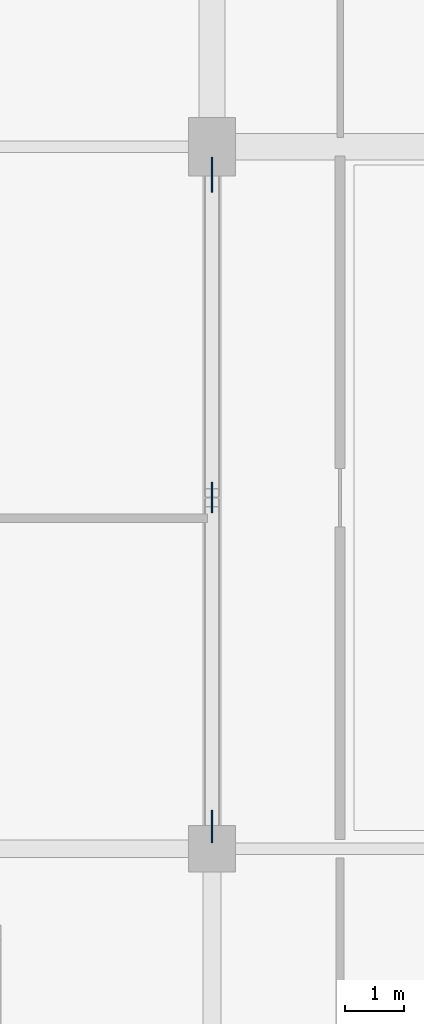
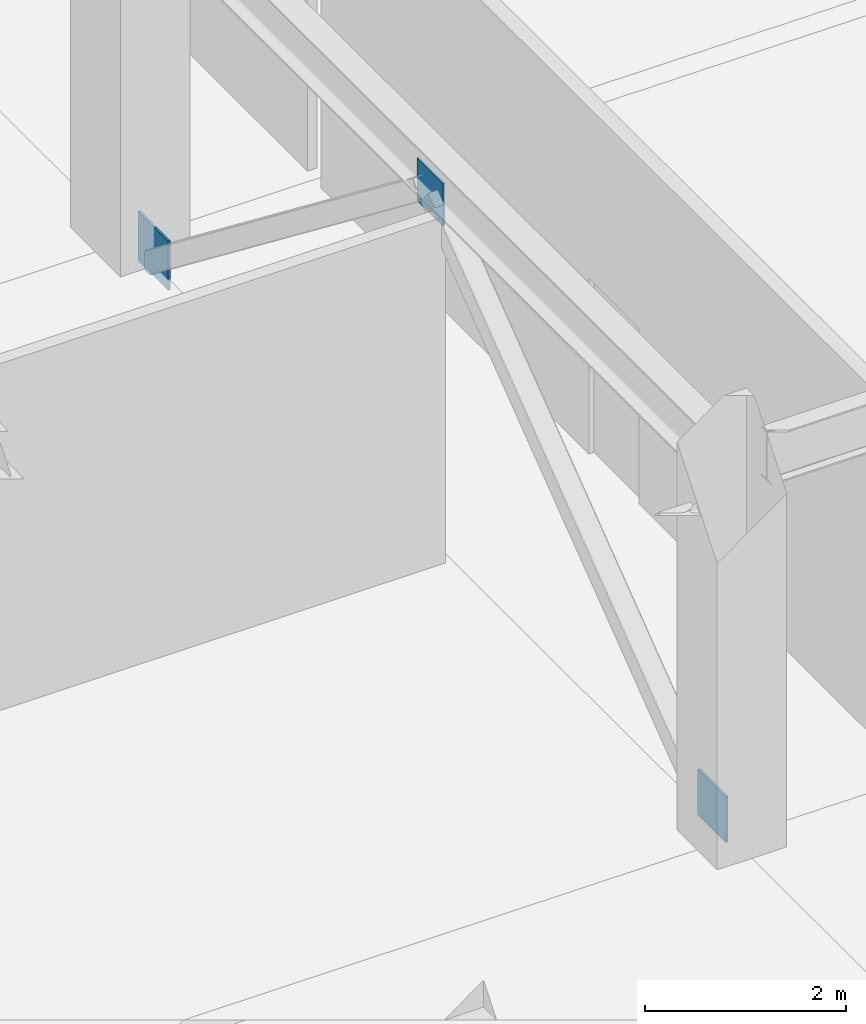
# One storey, part 64 of 116: 3 plates.
"""IFC4 building model written with IfcOpenShell, lengths in metres."""

from ifc_helpers import new_model, si_unit, direction, frame, origin, origin_2d, place, context, subcontext, project, spatial, rectangle, extrude, material, layer, layer_set, type_object, element, save


model = new_model("IFC4")

# Units and contexts
model_context = context("Model", 3, precision=1e-05, world=origin(), true_north=direction((0.0, 1.0)))
body_context = subcontext(model_context, "Body", "Model", "MODEL_VIEW")
ifc_project = project(units=[si_unit("LENGTHUNIT", "METRE"), si_unit("AREAUNIT", "SQUARE_METRE"), si_unit("VOLUMEUNIT", "CUBIC_METRE"), si_unit("PLANEANGLEUNIT", "RADIAN"), si_unit("MASSUNIT", "GRAM", prefix="KILO")], contexts=[model_context])

# Site, building, storey
site_placement = place(None, origin())
site = spatial("IfcSite", under=ifc_project, at=site_placement, CompositionType="ELEMENT")
building_placement = place(site_placement, origin())
building = spatial("IfcBuilding", under=site, at=building_placement, Name="Kazenohara Klinker Stadium", CompositionType="ELEMENT")
storey_placement = place(building_placement, frame((0.0, 0.0, 10.199951171875)))
storey = spatial("IfcBuildingStorey", under=building, at=storey_placement, Name="L02", CompositionType="ELEMENT", Elevation=10.199951171875)

# Plates
ifc_material = material(Name="Steel S355", Category="steel")
ifc_layer_1 = layer(ifc_material, 0.02392578125)
ifc_layer_set_1 = layer_set([ifc_layer_1], Name="Steel S355")
plate_type_1 = type_object("IfcPlateType", Name="PLT-GP03", PredefinedType="USERDEFINED", material=ifc_layer_set_1)
plate_1_placement = place(storey_placement, frame((187.5, 66.0, 3.971923828125), z_axis=(0.0, 0.0, 1.0), x_axis=(1.0, 0.0, 0.0)))
element("IfcPlate", 1, at=plate_1_placement, inside=storey, type_object=plate_type_1, Name="Chevron brace gusset plate GP03 L02 16/F TOP", ObjectType="GUSSET PLATE", PredefinedType="USERDEFINED", context=body_context, shape_type="SweptSolid", body=[
    extrude(rectangle(XDim=0.02392578125, YDim=0.52001953125, at=origin_2d()), origin(), (0.0, 0.0, 1.0), 0.52001953125),
])
ifc_layer_2 = layer(ifc_material, 0.02490234375)
ifc_layer_set_2 = layer_set([ifc_layer_2], Name="Steel S355")
plate_type_2 = type_object("IfcPlateType", Name="PLT-GP04", PredefinedType="USERDEFINED", material=ifc_layer_set_2)
plate_2_placement = place(storey_placement, frame((187.5, 60.3798828125, -0.10986328125), z_axis=(0.0, 0.0, 1.0), x_axis=(1.0, 0.0, 0.0)))
element("IfcPlate", 2, at=plate_2_placement, inside=storey, type_object=plate_type_2, Name="Chevron brace gusset plate GP04 L02 16/F BOT-A", ObjectType="GUSSET PLATE", PredefinedType="USERDEFINED", context=body_context, shape_type="SweptSolid", body=[
    extrude(rectangle(XDim=0.02490234375, YDim=0.56005859375, at=origin_2d()), origin(), (0.0, 0.0, 1.0), 0.56005859375),
])
ifc_layer_3 = layer(ifc_material, 0.02587890625)
ifc_layer_set_3 = layer_set([ifc_layer_3], Name="Steel S355")
plate_type_3 = type_object("IfcPlateType", Name="PLT-GP05", PredefinedType="USERDEFINED", material=ifc_layer_set_3)
plate_3_placement = place(storey_placement, frame((187.5, 71.52001953125, -0.1298828125), z_axis=(0.0, 0.0, 1.0), x_axis=(1.0, 0.0, 0.0)))
element("IfcPlate", 3, at=plate_3_placement, inside=storey, type_object=plate_type_3, Name="Chevron brace gusset plate GP05 L02 16/F BOT-B", ObjectType="GUSSET PLATE", PredefinedType="USERDEFINED", context=body_context, shape_type="SweptSolid", body=[
    extrude(rectangle(XDim=0.02587890625, YDim=0.60009765625, at=origin_2d()), origin(), (0.0, 0.0, 1.0), 0.60009765625),
])

save(model, "model.ifc")
